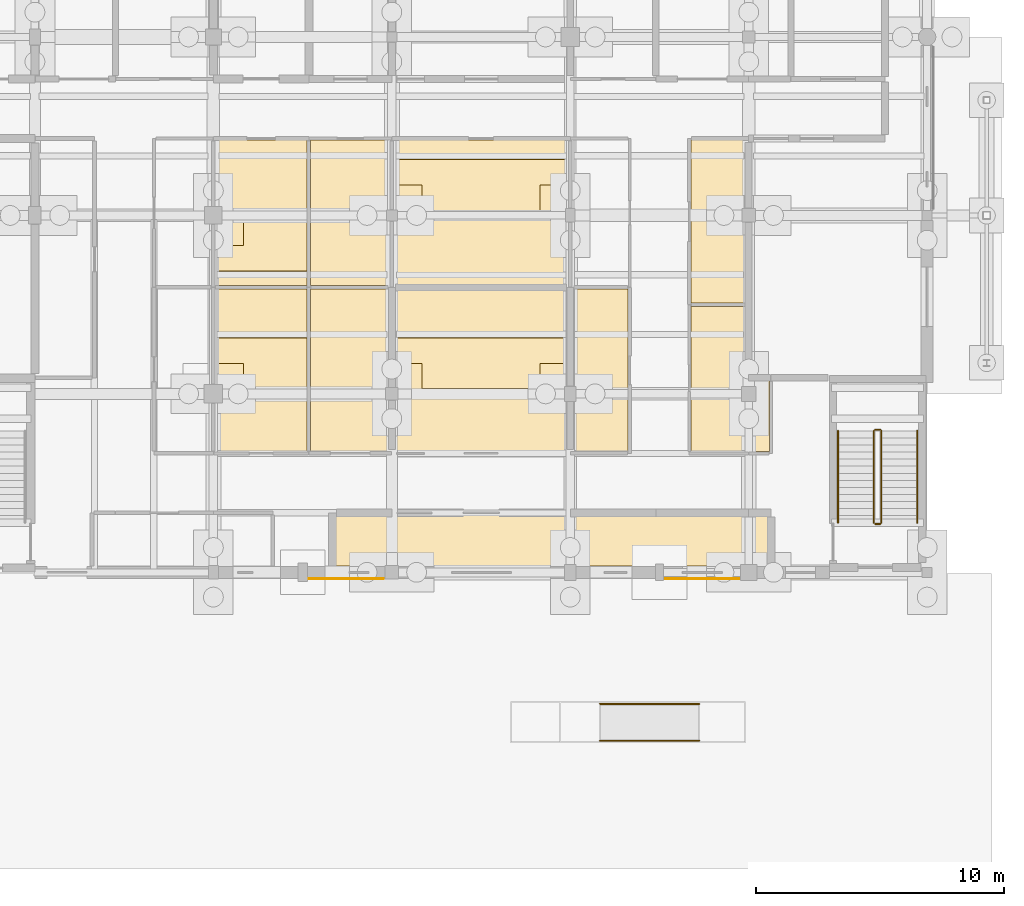
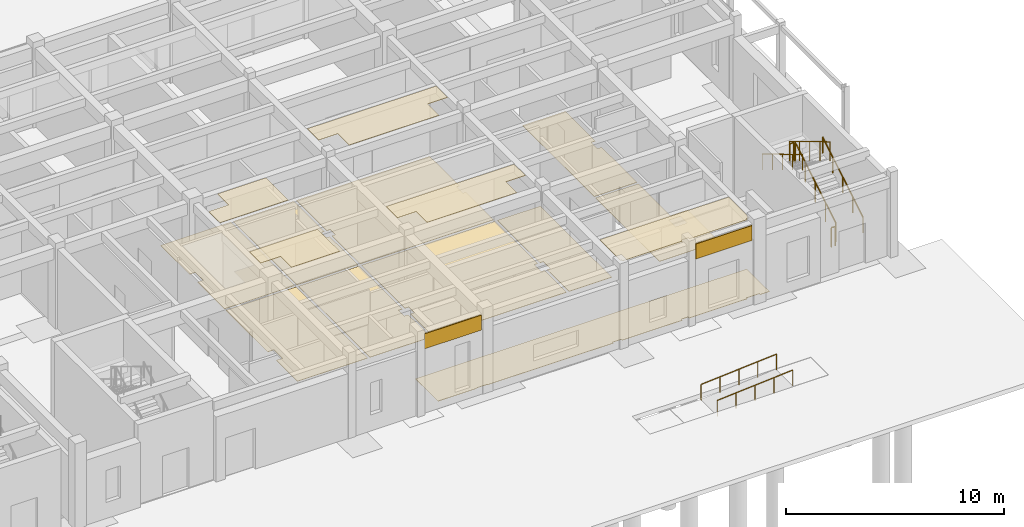
# One storey, part 139 of 143: 17 coverings, 8 railings.
"""IFC4 building model written with IfcOpenShell, lengths in metres."""

import ifcopenshell
import ifcopenshell.guid

model = None  # the IFC model being written
_history = None  # IfcOwnerHistory: only IFC2X3 demands one
_inside = {}  # id of a spatial element -> (the spatial element, [elements in it])
_under = {}  # id of a project, library or spatial element -> (it, [spatial elements below it])
_declared = {}  # id of a project -> (the project, [libraries it declares])
_typed = {}  # id of a type object -> (the type object, [elements of that type])
_made_of = {}  # id of a material, layer set ... -> (it, [elements and type objects made of it])


def new_model(schema):
    """Start an empty IFC model of exactly this schema.

    Asked for "IFC4X3", IfcOpenShell would pick the latest addendum, in which some entities
    have other attributes; the version numbers below select the first issue.
    IFC2X3 requires an IfcOwnerHistory on every rooted entity: one is made here for all.
    """
    global model, _history
    if schema == "IFC4X3":
        model = ifcopenshell.file(schema_version=(4, 3, 0, 0))
    else:
        model = ifcopenshell.file(schema=schema)
    _inside.clear()
    _under.clear()
    _declared.clear()
    _typed.clear()
    _made_of.clear()
    _history = None
    if model.schema == "IFC2X3":
        org = make("IfcOrganization", Name="unknown")
        user = make(
            "IfcPersonAndOrganization",
            ThePerson=make("IfcPerson", FamilyName="unknown"),
            TheOrganization=org,
        )
        app = make(
            "IfcApplication",
            ApplicationDeveloper=org,
            Version="unknown",
            ApplicationFullName="unknown",
            ApplicationIdentifier="unknown",
        )
        _history = make(
            "IfcOwnerHistory",
            OwningUser=user,
            OwningApplication=app,
            ChangeAction="ADDED",
            CreationDate=0,
        )
    return model


def make(cls, **values):
    """One entity of the class cls with the attributes given. An attribute that is None is left unset."""
    return model.create_entity(
        cls, **{name: value for name, value in values.items() if value is not None}
    )


def rooted(cls, **values):
    """An entity with a GlobalId (a new one), such as an element, a storey or a relation."""
    return make(cls, GlobalId=ifcopenshell.guid.new(), OwnerHistory=_history, **values)


def si_unit(unit_type, name, prefix=None):
    """IfcSIUnit, for example si_unit("LENGTHUNIT", "METRE", prefix="MILLI")."""
    return make("IfcSIUnit", UnitType=unit_type, Prefix=prefix, Name=name)


def assignment(units):
    """IfcUnitAssignment: the units of a project."""
    return None if units is None else make("IfcUnitAssignment", Units=units)


def point(xyz):
    """IfcCartesianPoint."""
    return None if xyz is None else make("IfcCartesianPoint", Coordinates=xyz)


def direction(xyz):
    """IfcDirection."""
    return None if xyz is None else make("IfcDirection", DirectionRatios=xyz)


def frame(location, z_axis=None, x_axis=None):
    """IfcAxis2Placement3D, a coordinate frame: its origin and axes. An axis left out is left unset."""
    return make(
        "IfcAxis2Placement3D",
        Location=point(location),
        Axis=direction(z_axis),
        RefDirection=direction(x_axis),
    )


def frame_2d(location, x_axis=None):
    """IfcAxis2Placement2D, a coordinate frame in the plane: its origin and x axis."""
    return make(
        "IfcAxis2Placement2D", Location=point(location), RefDirection=direction(x_axis)
    )


def origin():
    """The frame at (0, 0, 0) with its axes left unset."""
    return frame((0.0, 0.0, 0.0))


def origin_2d():
    """The frame at (0, 0) in the plane with its x axis left unset."""
    return frame_2d((0.0, 0.0))


def place(relative_to, where):
    """IfcLocalPlacement: puts the frame where relative to a parent placement (None: the world)."""
    return make(
        "IfcLocalPlacement", PlacementRelTo=relative_to, RelativePlacement=where
    )


def context(
    kind, dimensions, precision=None, world=None, true_north=None, identifier=None
):
    """IfcGeometricRepresentationContext, for example the 3D "Model" context."""
    return make(
        "IfcGeometricRepresentationContext",
        ContextIdentifier=identifier,
        ContextType=kind,
        CoordinateSpaceDimension=dimensions,
        Precision=precision,
        WorldCoordinateSystem=world,
        TrueNorth=true_north,
    )


def subcontext(parent, identifier, kind, view, scale=None):
    """IfcGeometricRepresentationSubContext, for example "Body" below "Model"."""
    return make(
        "IfcGeometricRepresentationSubContext",
        ContextIdentifier=identifier,
        ContextType=kind,
        ParentContext=parent,
        TargetScale=scale,
        TargetView=view,
    )


def project(units=None, contexts=None):
    """IfcProject with its units and contexts."""
    return rooted(
        "IfcProject",
        Name="project",
        RepresentationContexts=contexts,
        UnitsInContext=assignment(units),
    )


def spatial(cls, under=None, at=None, **own):
    """A site, building, storey or space (cls), placed at a placement, below another one or the project."""
    s = rooted(cls, ObjectPlacement=at, **own)
    if under is not None:
        _under.setdefault(under.id(), (under, []))[1].append(s)
    return s


def polyline(points):
    """IfcPolyline through the points."""
    return make("IfcPolyline", Points=[point(p) for p in points])


def profile(cls, at=None, kind="AREA", **sizes):
    """A parametric profile (cls). Its sizes go by their IFC names, for example OverallWidth=200.0."""
    return make(cls, ProfileType=kind, Position=at, **sizes)


def rectangle(**sizes):
    """IfcRectangleProfileDef."""
    return profile("IfcRectangleProfileDef", **sizes)


def circle(**sizes):
    """IfcCircleProfileDef."""
    return profile("IfcCircleProfileDef", **sizes)


def outline(outer, holes=None, kind="AREA"):
    """IfcArbitraryClosedProfileDef: a profile drawn as a closed curve; with holes, ...WithVoids."""
    if holes is None:
        return make("IfcArbitraryClosedProfileDef", ProfileType=kind, OuterCurve=outer)
    return make(
        "IfcArbitraryProfileDefWithVoids",
        ProfileType=kind,
        OuterCurve=outer,
        InnerCurves=holes,
    )


def extrude(swept, where, along, depth):
    """IfcExtrudedAreaSolid: the profile swept, set in the frame where, extruded along a direction by depth."""
    return make(
        "IfcExtrudedAreaSolid",
        SweptArea=swept,
        Position=where,
        ExtrudedDirection=direction(along),
        Depth=depth,
    )


def shape(context_of_items, identifier, shape_type, items):
    """IfcShapeRepresentation: the items that make up one representation, for example the "Body"."""
    return make(
        "IfcShapeRepresentation",
        ContextOfItems=context_of_items,
        RepresentationIdentifier=identifier,
        RepresentationType=shape_type,
        Items=items,
    )


def material(Name=None, Category=None):
    """IfcMaterial."""
    return make("IfcMaterial", Name=Name, Category=Category)


def layer(
    of_material, thickness, ventilated=None, Name=None, Category=None, Priority=None
):
    """IfcMaterialLayer: one layer of a wall or slab, of a material (None: an air gap)."""
    return make(
        "IfcMaterialLayer",
        Material=of_material,
        LayerThickness=thickness,
        IsVentilated=ventilated,
        Name=Name,
        Category=Category,
        Priority=Priority,
    )


def layer_set(layers, Name=None):
    """IfcMaterialLayerSet."""
    return make("IfcMaterialLayerSet", MaterialLayers=layers, LayerSetName=Name)


def made_of(thing, what):
    """Note that an element or type object is made of a material, layer set ...; save() writes the relation."""
    if what is not None:
        _made_of.setdefault(what.id(), (what, []))[1].append(thing)
    return thing


def type_object(cls, material=None, **own):
    """A type object (cls), such as IfcWallType, which elements share."""
    return made_of(rooted(cls, **own), material)


def element(
    cls,
    number,
    at=None,
    inside=None,
    cuts=None,
    type_object=None,
    material=None,
    context=None,
    identifier="Body",
    shape_type=None,
    held_by="IfcProductDefinitionShape",
    body=None,
    shapes=None,
    **own,
):
    """One element of the class cls, such as IfcWall. Its Tag is "e" and its number.

    at: its placement. inside: the storey or other place that contains it. cuts: it is an
    opening in that element (IfcRelVoidsElement). A single representation is given by context,
    identifier, shape_type and body (its items); several are given by shapes. held_by: the class
    of the entity that holds the representations. save() writes the other relations.
    """
    e = rooted(cls, Tag="e%d" % number, ObjectPlacement=at, **own)
    if body is not None:
        shapes = [shape(context, identifier, shape_type, body)]
    if shapes is not None:
        e.Representation = make(held_by, Representations=shapes)
    if inside is not None:
        _inside.setdefault(inside.id(), (inside, []))[1].append(e)
    if cuts is not None:
        rooted(
            "IfcRelVoidsElement", RelatingBuildingElement=cuts, RelatedOpeningElement=e
        )
    if type_object is not None:
        _typed.setdefault(type_object.id(), (type_object, []))[1].append(e)
    return made_of(e, material)


def aggregate(whole, parts):
    """IfcRelAggregates: a whole, such as a stair, and the parts it consists of."""
    return rooted("IfcRelAggregates", RelatingObject=whole, RelatedObjects=parts)


def save(model, path):
    """Write the relations noted so far, then the file.

    IfcRelAggregates (storeys below a building ...), IfcRelContainedInSpatialStructure (elements
    in a storey), IfcRelDefinesByType, IfcRelAssociatesMaterial and IfcRelDeclares: one each for
    every whole, place, type object, material and project.
    """
    for whole, parts in _under.values():
        aggregate(whole, parts)
    for where, things in _inside.values():
        rooted(
            "IfcRelContainedInSpatialStructure",
            RelatedElements=things,
            RelatingStructure=where,
        )
    for kind, things in _typed.values():
        rooted("IfcRelDefinesByType", RelatedObjects=things, RelatingType=kind)
    for what, things in _made_of.values():
        rooted("IfcRelAssociatesMaterial", RelatedObjects=things, RelatingMaterial=what)
    for by, libraries in _declared.values():
        rooted("IfcRelDeclares", RelatingContext=by, RelatedDefinitions=libraries)
    model.write(path)


model = new_model("IFC4")

# Units and contexts
model_context = context("Model", 3, precision=1e-05, world=origin(), true_north=direction((0.0, 1.0)))
body_context = subcontext(model_context, "Body", "Model", "MODEL_VIEW")
ifc_project = project(units=[si_unit("LENGTHUNIT", "METRE"), si_unit("AREAUNIT", "SQUARE_METRE"), si_unit("VOLUMEUNIT", "CUBIC_METRE"), si_unit("PLANEANGLEUNIT", "RADIAN"), si_unit("MASSUNIT", "GRAM", prefix="KILO")], contexts=[model_context])

# Site, building, storey
site_placement = place(None, origin())
site = spatial("IfcSite", under=ifc_project, at=site_placement, CompositionType="ELEMENT")
building_placement = place(site_placement, origin())
building = spatial("IfcBuilding", under=site, at=building_placement, Name="Steenspoor Specialist Clinic", CompositionType="ELEMENT")
storey_placement = place(building_placement, origin())
storey = spatial("IfcBuildingStorey", under=building, at=storey_placement, Name="L00", CompositionType="ELEMENT", Elevation=0.0)

# Coverings
ifc_material_1 = material(Name="Washable acoustic mineral ceiling board", Category="gypsum")
ifc_layer_1 = layer(ifc_material_1, 0.02490234375)
ifc_layer_set_1 = layer_set([ifc_layer_1], Name="Washable acoustic mineral ceiling board")
covering_type_1 = type_object("IfcCoveringType", Name="COV-CEIL-ACOUSTIC", PredefinedType="CEILING", material=ifc_layer_set_1)
covering_1_placement = place(storey_placement, frame((0.0, 0.0, 4.43505859375)))
element("IfcCovering", 1, at=covering_1_placement, inside=storey, type_object=covering_type_1, Name="Acoustic Clinical Ceiling 037", PredefinedType="CEILING", context=body_context, shape_type="SweptSolid", body=[
    extrude(outline(polyline([(150.5849609375, 13.31005859375), (150.5849609375, 13.405029296875), (150.215087890625, 13.405029296875), (150.215087890625, 13.31005859375), (147.0400390625, 13.31005859375), (147.0400390625, 13.389892578125), (146.9951171875, 13.389892578125), (146.9951171875, 15.300048828125), (153.830078125, 15.300048828125), (153.830078125, 13.389892578125), (153.659912109375, 13.389892578125), (153.659912109375, 13.31005859375), (150.5849609375, 13.31005859375)])), origin(), (0.0, 0.0, 1.0), 0.02490234375),
])
covering_2_placement = place(storey_placement, frame((0.0, 0.0, 4.43505859375)))
element("IfcCovering", 2, at=covering_2_placement, inside=storey, type_object=covering_type_1, Name="Acoustic Clinical Ceiling 039", PredefinedType="CEILING", context=body_context, shape_type="SweptSolid", body=[
    extrude(outline(polyline([(136.18505859375, 20.469970703125), (133.6201171875, 20.469970703125), (133.6201171875, 21.469970703125), (132.570068359375, 21.469970703125), (132.570068359375, 22.510009765625), (136.18505859375, 22.510009765625), (136.18505859375, 20.469970703125)])), origin(), (0.0, 0.0, 1.0), 0.02490234375),
])
covering_3_placement = place(storey_placement, frame((0.0, 0.0, 4.43505859375)))
element("IfcCovering", 3, at=covering_3_placement, inside=storey, type_object=covering_type_1, Name="Acoustic Clinical Ceiling 040", PredefinedType="CEILING", context=body_context, shape_type="SweptSolid", body=[
    extrude(outline(polyline([(146.60498046875, 22.5), (146.60498046875, 21.469970703125), (145.580078125, 21.469970703125), (145.580078125, 20.469970703125), (140.820068359375, 20.469970703125), (140.820068359375, 21.469970703125), (139.820068359375, 21.469970703125), (139.820068359375, 22.5), (146.60498046875, 22.5)])), origin(), (0.0, 0.0, 1.0), 0.02490234375),
])
covering_4_placement = place(storey_placement, frame((0.0, 0.0, 4.43505859375)))
element("IfcCovering", 4, at=covering_4_placement, inside=storey, type_object=covering_type_1, Name="Acoustic Clinical Ceiling 041", PredefinedType="CEILING", context=body_context, shape_type="SweptSolid", body=[
    extrude(outline(polyline([(136.18505859375, 25.199951171875), (132.570068359375, 25.199951171875), (132.570068359375, 26.22998046875), (133.6201171875, 26.22998046875), (133.6201171875, 27.2548828125), (136.18505859375, 27.2548828125), (136.18505859375, 25.199951171875)])), origin(), (0.0, 0.0, 1.0), 0.02490234375),
])
covering_5_placement = place(storey_placement, frame((0.0, 0.0, 4.43505859375)))
element("IfcCovering", 5, at=covering_5_placement, inside=storey, type_object=covering_type_1, Name="Acoustic Clinical Ceiling 042", PredefinedType="CEILING", context=body_context, shape_type="SweptSolid", body=[
    extrude(outline(polyline([(145.580078125, 28.669921875), (145.580078125, 27.6201171875), (140.820068359375, 27.6201171875), (140.820068359375, 28.669921875), (139.794921875, 28.669921875), (139.794921875, 29.7099609375), (146.6298828125, 29.7099609375), (146.6298828125, 28.669921875), (145.580078125, 28.669921875)])), origin(), (0.0, 0.0, 1.0), 0.02490234375),
])
ifc_material_2 = material(Name="Glazed ceramic relief spandrel cladding", Category="masonry")
ifc_layer_2 = layer(ifc_material_2, 0.034912109375)
ifc_layer_set_2 = layer_set([ifc_layer_2], Name="Glazed ceramic relief spandrel cladding")
covering_type_2 = type_object("IfcCoveringType", Name="COV-CLAD-CERAMIC", PredefinedType="CLADDING", material=ifc_layer_set_2)
covering_6_placement = place(storey_placement, frame((152.12255859375, 12.800048828125, 3.625), z_axis=(0.0, 0.0, 1.0), x_axis=(-1.0, 0.0, 0.0)))
element("IfcCovering", 6, at=covering_6_placement, inside=storey, type_object=covering_type_2, Name="Spandrel Cladding 10", PredefinedType="CLADDING", context=body_context, shape_type="SweptSolid", body=[
    extrude(rectangle(XDim=2.985107421875, YDim=0.0400390625, at=origin_2d()), origin(), (0.0, 0.0, 1.0), 0.840087890625),
])
covering_7_placement = place(storey_placement, frame((137.757568359375, 12.800048828125, 3.625), z_axis=(0.0, 0.0, 1.0), x_axis=(-1.0, 0.0, 0.0)))
element("IfcCovering", 7, at=covering_7_placement, inside=storey, type_object=covering_type_2, Name="Spandrel Cladding 11", PredefinedType="CLADDING", context=body_context, shape_type="SweptSolid", body=[
    extrude(rectangle(XDim=3.014892578125, YDim=0.0400390625, at=origin_2d()), origin(), (0.0, 0.0, 1.0), 0.840087890625),
])
ifc_material_3 = material(Name="Seamless clinical vinyl and terrazzo flooring", Category="plastic")
ifc_layer_3 = layer(ifc_material_3, 0.02001953125)
ifc_layer_set_3 = layer_set([ifc_layer_3], Name="Seamless clinical vinyl and terrazzo flooring")
covering_type_3 = type_object("IfcCoveringType", Name="COV-FLOOR-VINYL", PredefinedType="FLOORING", material=ifc_layer_set_3)
covering_8_placement = place(storey_placement, origin())
element("IfcCovering", 8, at=covering_8_placement, inside=storey, type_object=covering_type_3, Name="Clinical Vinyl Flooring 45", PredefinedType="FLOORING", context=body_context, shape_type="SweptSolid", body=[
    extrude(outline(polyline([(154.8349609375, 15.385009765625), (154.8349609375, 13.31005859375), (154.340087890625, 13.31005859375), (154.340087890625, 13.389892578125), (153.659912109375, 13.389892578125), (153.659912109375, 13.31005859375), (150.5849609375, 13.31005859375), (150.5849609375, 13.405029296875), (150.215087890625, 13.405029296875), (150.215087890625, 13.31005859375), (147.0400390625, 13.31005859375), (147.0400390625, 13.389892578125), (146.56005859375, 13.389892578125), (146.56005859375, 13.31005859375), (139.889892578125, 13.31005859375), (139.889892578125, 13.340087890625), (139.31005859375, 13.340087890625), (139.31005859375, 13.31005859375), (137.264892578125, 13.31005859375), (137.264892578125, 15.385009765625), (154.8349609375, 15.385009765625)])), origin(), (0.0, 0.0, 1.0), 0.02001953125),
])
covering_9_placement = place(storey_placement, origin())
element("IfcCovering", 9, at=covering_9_placement, inside=storey, type_object=covering_type_3, Name="Clinical Vinyl Flooring 47", PredefinedType="FLOORING", context=body_context, shape_type="SweptSolid", body=[
    extrude(outline(polyline([(132.465087890625, 17.9150390625), (132.465087890625, 19.860107421875), (132.7900390625, 19.860107421875), (132.7900390625, 20.639892578125), (132.465087890625, 20.639892578125), (132.465087890625, 24.485107421875), (136.18505859375, 24.485107421875), (136.18505859375, 17.9150390625), (132.465087890625, 17.9150390625)])), origin(), (0.0, 0.0, 1.0), 0.02001953125),
])
covering_10_placement = place(storey_placement, origin())
element("IfcCovering", 10, at=covering_10_placement, inside=storey, type_object=covering_type_3, Name="Clinical Vinyl Flooring 48", PredefinedType="FLOORING", context=body_context, shape_type="SweptSolid", body=[
    extrude(outline(polyline([(136.31494140625, 17.9150390625), (136.31494140625, 24.485107421875), (139.534912109375, 24.485107421875), (139.534912109375, 20.514892578125), (139.3349609375, 20.514892578125), (139.3349609375, 19.985107421875), (139.534912109375, 19.985107421875), (139.534912109375, 17.9150390625), (136.31494140625, 17.9150390625)])), origin(), (0.0, 0.0, 1.0), 0.02001953125),
])
covering_11_placement = place(storey_placement, origin())
element("IfcCovering", 11, at=covering_11_placement, inside=storey, type_object=covering_type_3, Name="Clinical Vinyl Flooring 49", PredefinedType="FLOORING", context=body_context, shape_type="SweptSolid", body=[
    extrude(outline(polyline([(139.6650390625, 17.9150390625), (139.6650390625, 19.985107421875), (139.864990234375, 19.985107421875), (139.864990234375, 20.514892578125), (139.6650390625, 20.514892578125), (139.6650390625, 24.485107421875), (146.735107421875, 24.485107421875), (146.735107421875, 20.56494140625), (146.56005859375, 20.56494140625), (146.56005859375, 19.93505859375), (146.735107421875, 19.93505859375), (146.735107421875, 17.9150390625), (139.6650390625, 17.9150390625)])), origin(), (0.0, 0.0, 1.0), 0.02001953125),
])
covering_12_placement = place(storey_placement, origin())
element("IfcCovering", 12, at=covering_12_placement, inside=storey, type_object=covering_type_3, Name="Clinical Vinyl Flooring 50", PredefinedType="FLOORING", context=body_context, shape_type="SweptSolid", body=[
    extrude(outline(polyline([(146.864990234375, 17.9150390625), (146.864990234375, 19.93505859375), (147.0400390625, 19.93505859375), (147.0400390625, 20.56494140625), (146.864990234375, 20.56494140625), (146.864990234375, 24.485107421875), (149.135009765625, 24.485107421875), (149.135009765625, 17.9150390625), (146.864990234375, 17.9150390625)])), origin(), (0.0, 0.0, 1.0), 0.02001953125),
])
covering_13_placement = place(storey_placement, origin())
element("IfcCovering", 13, at=covering_13_placement, inside=storey, type_object=covering_type_3, Name="Clinical Vinyl Flooring 51", PredefinedType="FLOORING", context=body_context, shape_type="SweptSolid", body=[
    extrude(outline(polyline([(153.93505859375, 23.784912109375), (153.93505859375, 20.8349609375), (154.8349609375, 20.8349609375), (154.8349609375, 17.9150390625), (151.6650390625, 17.9150390625), (151.6650390625, 23.784912109375), (153.93505859375, 23.784912109375)]), holes=[polyline([(154.31494140625, 19.93505859375), (154.31494140625, 20.56494140625), (153.68505859375, 20.56494140625), (153.68505859375, 19.93505859375), (154.31494140625, 19.93505859375)])]), origin(), (0.0, 0.0, 1.0), 0.02001953125),
])
covering_14_placement = place(storey_placement, origin())
element("IfcCovering", 14, at=covering_14_placement, inside=storey, type_object=covering_type_3, Name="Clinical Vinyl Flooring 52", PredefinedType="FLOORING", context=body_context, shape_type="SweptSolid", body=[
    extrude(outline(polyline([(151.6650390625, 23.9150390625), (151.6650390625, 30.485107421875), (153.93505859375, 30.485107421875), (153.93505859375, 27.739990234375), (153.7099609375, 27.739990234375), (153.7099609375, 27.159912109375), (153.93505859375, 27.159912109375), (153.93505859375, 23.9150390625), (151.6650390625, 23.9150390625)])), origin(), (0.0, 0.0, 1.0), 0.02001953125),
])
covering_15_placement = place(storey_placement, origin())
element("IfcCovering", 15, at=covering_15_placement, inside=storey, type_object=covering_type_3, Name="Clinical Vinyl Flooring 53", PredefinedType="FLOORING", context=body_context, shape_type="SweptSolid", body=[
    extrude(outline(polyline([(132.465087890625, 24.614990234375), (132.465087890625, 27.0849609375), (132.764892578125, 27.0849609375), (132.764892578125, 27.81494140625), (132.465087890625, 27.81494140625), (132.465087890625, 30.485107421875), (136.18505859375, 30.485107421875), (136.18505859375, 24.614990234375), (132.465087890625, 24.614990234375)])), origin(), (0.0, 0.0, 1.0), 0.02001953125),
])
covering_16_placement = place(storey_placement, origin())
element("IfcCovering", 16, at=covering_16_placement, inside=storey, type_object=covering_type_3, Name="Clinical Vinyl Flooring 54", PredefinedType="FLOORING", context=body_context, shape_type="SweptSolid", body=[
    extrude(outline(polyline([(136.31494140625, 24.614990234375), (136.31494140625, 30.485107421875), (139.534912109375, 30.485107421875), (139.534912109375, 27.68994140625), (139.360107421875, 27.68994140625), (139.360107421875, 27.2099609375), (139.534912109375, 27.2099609375), (139.534912109375, 24.614990234375), (136.31494140625, 24.614990234375)])), origin(), (0.0, 0.0, 1.0), 0.02001953125),
])
covering_17_placement = place(storey_placement, origin())
element("IfcCovering", 17, at=covering_17_placement, inside=storey, type_object=covering_type_3, Name="Clinical Vinyl Flooring 55", PredefinedType="FLOORING", context=body_context, shape_type="SweptSolid", body=[
    extrude(outline(polyline([(139.6650390625, 24.614990234375), (139.6650390625, 27.2099609375), (139.840087890625, 27.2099609375), (139.840087890625, 27.68994140625), (139.6650390625, 27.68994140625), (139.6650390625, 30.485107421875), (146.735107421875, 30.485107421875), (146.735107421875, 27.739990234375), (146.5849609375, 27.739990234375), (146.5849609375, 27.159912109375), (146.735107421875, 27.159912109375), (146.735107421875, 24.614990234375), (139.6650390625, 24.614990234375)])), origin(), (0.0, 0.0, 1.0), 0.02001953125),
])

# Railings
ifc_material_4 = material(Name="Painted architectural steel balustrade", Category="steel")
railing_type_1 = type_object("IfcRailingType", Name="RAIL-GUARD-1100", PredefinedType="GUARDRAIL", material=ifc_material_4)
railing_1_placement = place(storey_placement, frame((159.35009765625, 15.050048828125, 0.17138671875)))
element("IfcRailing", 18, at=railing_1_placement, inside=storey, type_object=railing_type_1, Name="L00 ST-V2B stair guard 1", PredefinedType="GUARDRAIL", context=body_context, shape_type="SweptSolid", body=[
    extrude(circle(Radius=0.02392578125, at=origin_2d()), frame((0.0, 0.0, 1.076171875), z_axis=(0.0, 0.856919398105, 0.515450429384), x_axis=(-1.0, 0.0, 0.0)), (0.0, 0.0, 1.0), 4.323486328125),
    extrude(circle(Radius=0.02099609375, at=origin_2d()), origin(), (0.0, 0.0, 1.0), 1.052001953125),
    extrude(circle(Radius=0.02099609375, at=origin_2d()), frame((0.0, 0.92626953125, 0.55712890625)), (0.0, 0.0, 1.0), 1.052001953125),
    extrude(circle(Radius=0.02099609375, at=origin_2d()), frame((0.0, 1.8525390625, 1.1142578125)), (0.0, 0.0, 1.0), 1.052001953125),
    extrude(circle(Radius=0.02099609375, at=origin_2d()), frame((0.0, 2.778564453125, 1.67138671875)), (0.0, 0.0, 1.0), 1.052001953125),
    extrude(circle(Radius=0.02099609375, at=origin_2d()), frame((0.0, 3.704833984375, 2.228515625)), (0.0, 0.0, 1.0), 1.052001953125),
])
railing_2_placement = place(storey_placement, frame((159.300048828125, 18.804931640625, 2.39990234375)))
element("IfcRailing", 19, at=railing_2_placement, inside=storey, type_object=railing_type_1, Name="L00 ST-V2B stair guard 2", PredefinedType="GUARDRAIL", context=body_context, shape_type="SweptSolid", body=[
    extrude(circle(Radius=0.02392578125, at=origin_2d()), frame((0.0, 0.0, 1.076171875), z_axis=(-1.0, 0.0, 0.0), x_axis=(0.0, -1.0, 0.0)), (0.0, 0.0, 1.0), 0.199951171875),
    extrude(circle(Radius=0.02099609375, at=origin_2d()), origin(), (0.0, 0.0, 1.0), 1.052001953125),
    extrude(circle(Radius=0.02099609375, at=origin_2d()), frame((-0.199951171875, 0.0, 0.0)), (0.0, 0.0, 1.0), 1.052001953125),
])
railing_3_placement = place(storey_placement, frame((159.050048828125, 18.7548828125, 2.571533203125)))
element("IfcRailing", 20, at=railing_3_placement, inside=storey, type_object=railing_type_1, Name="L00 ST-V2B stair guard 3", PredefinedType="GUARDRAIL", context=body_context, shape_type="SweptSolid", body=[
    extrude(circle(Radius=0.02392578125, at=origin_2d()), frame((0.0, 0.0, 1.076171875), z_axis=(0.0, -0.856919398105, 0.515450429384), x_axis=(1.0, 0.0, 0.0)), (0.0, 0.0, 1.0), 4.323486328125),
    extrude(circle(Radius=0.02099609375, at=origin_2d()), origin(), (0.0, 0.0, 1.0), 1.052001953125),
    extrude(circle(Radius=0.02099609375, at=origin_2d()), frame((0.0, -0.92626953125, 0.55712890625)), (0.0, 0.0, 1.0), 1.052001953125),
    extrude(circle(Radius=0.02099609375, at=origin_2d()), frame((0.0, -1.8525390625, 1.1142578125)), (0.0, 0.0, 1.0), 1.052001953125),
    extrude(circle(Radius=0.02099609375, at=origin_2d()), frame((0.0, -2.778564453125, 1.67138671875)), (0.0, 0.0, 1.0), 1.052001953125),
    extrude(circle(Radius=0.02099609375, at=origin_2d()), frame((0.0, -3.704833984375, 2.228515625)), (0.0, 0.0, 1.0), 1.052001953125),
])
railing_4_placement = place(storey_placement, frame((159.300048828125, 15.0, 0.0)))
element("IfcRailing", 21, at=railing_4_placement, inside=storey, type_object=railing_type_1, Name="L00 ST-V2B stair guard 4", PredefinedType="GUARDRAIL", context=body_context, shape_type="SweptSolid", body=[
    extrude(circle(Radius=0.02392578125, at=origin_2d()), frame((0.0, 0.0, 1.076171875), z_axis=(-1.0, 0.0, 0.0), x_axis=(0.0, -1.0, 0.0)), (0.0, 0.0, 1.0), 0.199951171875),
    extrude(circle(Radius=0.02099609375, at=origin_2d()), origin(), (0.0, 0.0, 1.0), 1.052001953125),
    extrude(circle(Radius=0.02099609375, at=origin_2d()), frame((-0.199951171875, 0.0, 0.0)), (0.0, 0.0, 1.0), 1.052001953125),
])
ifc_material_5 = material(Name="Brushed stainless steel clinical handrail", Category="steel")
railing_type_2 = type_object("IfcRailingType", Name="RAIL-HAND-900", PredefinedType="HANDRAIL", material=ifc_material_5)
railing_5_placement = place(storey_placement, frame((160.800048828125, 15.050048828125, 0.17138671875)))
element("IfcRailing", 22, at=railing_5_placement, inside=storey, type_object=railing_type_2, Name="L00 ST-V2B stair handrail 1", PredefinedType="HANDRAIL", context=body_context, shape_type="SweptSolid", body=[
    extrude(circle(Radius=0.02392578125, at=origin_2d()), frame((0.0, 0.0, 0.8759765625), z_axis=(0.0, 0.856919398105, 0.515450429384), x_axis=(-1.0, 0.0, 0.0)), (0.0, 0.0, 1.0), 4.323486328125),
    extrude(circle(Radius=0.02099609375, at=origin_2d()), origin(), (0.0, 0.0, 1.0), 0.851806640625),
    extrude(circle(Radius=0.02099609375, at=origin_2d()), frame((0.0, 0.92626953125, 0.55712890625)), (0.0, 0.0, 1.0), 0.851806640625),
    extrude(circle(Radius=0.02099609375, at=origin_2d()), frame((0.0, 1.8525390625, 1.1142578125)), (0.0, 0.0, 1.0), 0.851806640625),
    extrude(circle(Radius=0.02099609375, at=origin_2d()), frame((0.0, 2.778564453125, 1.67138671875)), (0.0, 0.0, 1.0), 0.851806640625),
    extrude(circle(Radius=0.02099609375, at=origin_2d()), frame((0.0, 3.704833984375, 2.228515625)), (0.0, 0.0, 1.0), 0.851806640625),
])
railing_6_placement = place(storey_placement, frame((157.60009765625, 18.7548828125, 2.571533203125)))
element("IfcRailing", 23, at=railing_6_placement, inside=storey, type_object=railing_type_2, Name="L00 ST-V2B stair handrail 2", PredefinedType="HANDRAIL", context=body_context, shape_type="SweptSolid", body=[
    extrude(circle(Radius=0.02392578125, at=origin_2d()), frame((0.0, 0.0, 0.8759765625), z_axis=(0.0, -0.856919398105, 0.515450429384), x_axis=(1.0, 0.0, 0.0)), (0.0, 0.0, 1.0), 4.323486328125),
    extrude(circle(Radius=0.02099609375, at=origin_2d()), origin(), (0.0, 0.0, 1.0), 0.851806640625),
    extrude(circle(Radius=0.02099609375, at=origin_2d()), frame((0.0, -0.92626953125, 0.55712890625)), (0.0, 0.0, 1.0), 0.851806640625),
    extrude(circle(Radius=0.02099609375, at=origin_2d()), frame((0.0, -1.8525390625, 1.1142578125)), (0.0, 0.0, 1.0), 0.851806640625),
    extrude(circle(Radius=0.02099609375, at=origin_2d()), frame((0.0, -2.778564453125, 1.67138671875)), (0.0, 0.0, 1.0), 0.851806640625),
    extrude(circle(Radius=0.02099609375, at=origin_2d()), frame((0.0, -3.704833984375, 2.228515625)), (0.0, 0.0, 1.0), 0.851806640625),
])
for number, where, name in (
    (24, (148.0, 6.260009765625, -0.300048828125), "Ramp Handrail RMP-03 L"),
    (25, (148.0, 7.739990234375, -0.300048828125), "Ramp Handrail RMP-03 R"),
):
    element("IfcRailing", number, at=place(storey_placement, frame(where)), inside=storey, type_object=railing_type_2, Name=name, PredefinedType="HANDRAIL", context=body_context, shape_type="SweptSolid", body=[
        extrude(circle(Radius=0.02392578125, at=origin_2d()), frame((0.0, 0.0, 0.8759765625), z_axis=(0.997198401959, 0.0, 0.074802052979), x_axis=(0.0, 1.0, 0.0)), (0.0, 0.0, 1.0), 4.01123046875),
        extrude(circle(Radius=0.02099609375, at=origin_2d()), origin(), (0.0, 0.0, 1.0), 0.851806640625),
        extrude(circle(Radius=0.02099609375, at=origin_2d()), frame((1.0, 0.0, 0.074951171875)), (0.0, 0.0, 1.0), 0.851806640625),
        extrude(circle(Radius=0.02099609375, at=origin_2d()), frame((2.0, 0.0, 0.14990234375)), (0.0, 0.0, 1.0), 0.851806640625),
        extrude(circle(Radius=0.02099609375, at=origin_2d()), frame((3.0, 0.0, 0.22509765625)), (0.0, 0.0, 1.0), 0.851806640625),
        extrude(circle(Radius=0.02099609375, at=origin_2d()), frame((4.0, 0.0, 0.300048828125)), (0.0, 0.0, 1.0), 0.851806640625),
    ])

save(model, "model.ifc")
